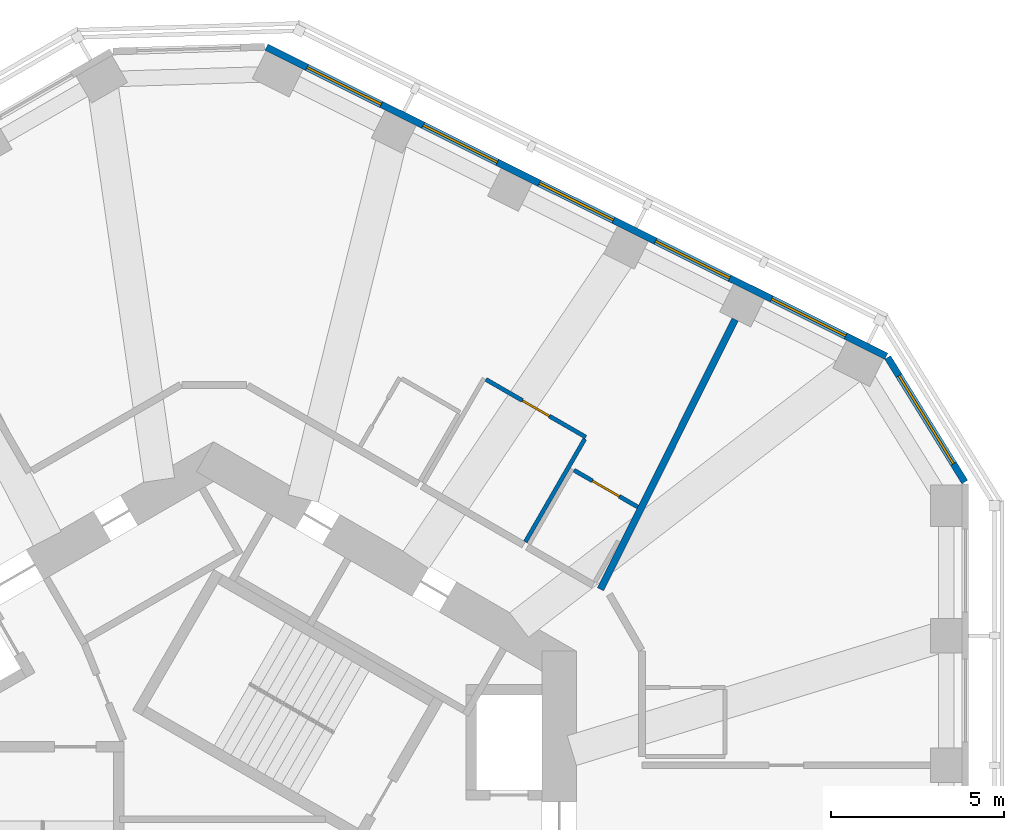
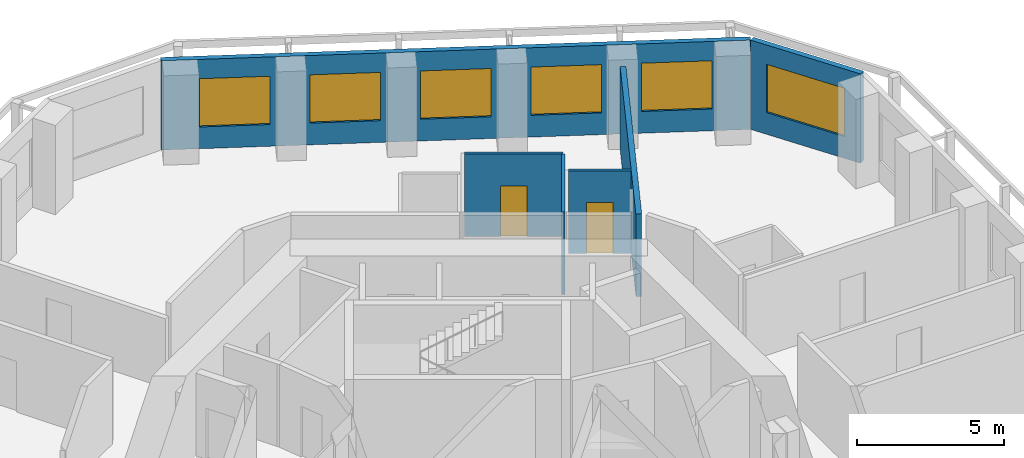
# One storey, part 8 of 11: 6 walls, 6 windows, 2 doors, 8 openings.
"""IFC4 building model written with IfcOpenShell, lengths in metres."""

from ifc_helpers import new_model, si_unit, direction, frame, frame_2d, origin, place, context, subcontext, project, spatial, rectangle, extrude, material, layer, layer_set, type_object, element, fill, save


model = new_model("IFC4")

# Units and contexts
model_context = context("Model", 3, precision=1e-05, world=origin(), true_north=direction((0.0, 1.0)))
body_context = subcontext(model_context, "Body", "Model", "MODEL_VIEW")
ifc_project = project(units=[si_unit("LENGTHUNIT", "METRE"), si_unit("AREAUNIT", "SQUARE_METRE"), si_unit("VOLUMEUNIT", "CUBIC_METRE"), si_unit("PLANEANGLEUNIT", "RADIAN"), si_unit("MASSUNIT", "GRAM", prefix="KILO")], contexts=[model_context])

# Site, building, storey
site_placement = place(None, origin())
site = spatial("IfcSite", under=ifc_project, at=site_placement, CompositionType="ELEMENT")
building_placement = place(site_placement, origin())
building = spatial("IfcBuilding", under=site, at=building_placement, Name="Vanh Sen Convention Tower", CompositionType="ELEMENT")
storey_placement = place(building_placement, frame((0.0, 0.0, 172.5)))
storey = spatial("IfcBuildingStorey", under=building, at=storey_placement, Name="L42", CompositionType="ELEMENT", Elevation=172.5)

# Wall, opening, door
ifc_material_1 = material(Name="Moisture-resistant gypsum board on steel studs", Category="steel")
ifc_layer_1 = layer(ifc_material_1, 0.1201171875)
ifc_layer_set_1 = layer_set([ifc_layer_1], Name="Moisture-resistant gypsum board on steel studs")
wall_type_1 = type_object("IfcWallType", Name="Bathroom partition 120", PredefinedType="PARTITIONING", material=ifc_layer_set_1)
wall_1_placement = place(storey_placement, frame((7.878173828125, 13.9267578125, 0.0), z_axis=(0.0, 0.0, 1.0), x_axis=(0.866021245731, -0.500007201891, 0.0)))
wall_1 = element("IfcWall", 1, at=wall_1_placement, inside=storey, type_object=wall_type_1, Name="Bathroom partition 120", PredefinedType="PARTITIONING", context=body_context, shape_type="SweptSolid", body=[
    extrude(rectangle(XDim=3.33984375, YDim=0.1201171875, at=frame_2d((1.669921875, 0.0))), origin(), (0.0, 0.0, 1.0), 3.419921875),
])
opening_1_placement = place(wall_1_placement, frame((1.219970703125, 0.0, 0.0)))
opening_1 = element("IfcOpeningElement", 2, at=opening_1_placement, cuts=wall_1, Name="Opening D41105", PredefinedType="OPENING", context=body_context, shape_type="SweptSolid", body=[
    extrude(rectangle(XDim=0.89990234375, YDim=2.10009765625, at=frame_2d((0.449951171875, 1.050048828125))), frame((0.0, 0.070068359375, 0.0), z_axis=(0.0, -1.0, 0.0), x_axis=(1.0, 0.0, 0.0)), (0.0, 0.0, 1.0), 0.14013671875),
])
ifc_material_2 = material(Name="Laminate door in steel frame", Category="steel")
door_type = type_object("IfcDoorType", Name="Room internal door 900", OperationType="SINGLE_SWING_LEFT", PredefinedType="DOOR", material=ifc_material_2)
door_1_placement = place(opening_1_placement, origin())
door_1 = element("IfcDoor", 3, at=door_1_placement, inside=storey, type_object=door_type, Name="Internal room door D41105", OperationType="SINGLE_SWING_LEFT", OverallHeight=2.10009765625, OverallWidth=0.89990234375, PredefinedType="DOOR", context=body_context, shape_type="SweptSolid", body=[
    extrude(rectangle(XDim=0.89990234375, YDim=2.10009765625, at=frame_2d((0.449951171875, 1.050048828125))), frame((0.0, 0.02490234375, 0.0), z_axis=(0.0, -1.0, 0.0), x_axis=(1.0, 0.0, 0.0)), (0.0, 0.0, 1.0), 0.050048828125),
])
fill(opening_1, door_1)

wall_2_placement = place(storey_placement, frame((10.426513671875, 11.30078125, 0.0), z_axis=(0.0, 0.0, 1.0), x_axis=(0.866019511163, -0.500010206181, 0.0)))
wall_2 = element("IfcWall", 4, at=wall_2_placement, inside=storey, type_object=wall_type_1, Name="Bathroom partition 120", PredefinedType="PARTITIONING", context=body_context, shape_type="SweptSolid", body=[
    extrude(rectangle(XDim=2.1298828125, YDim=0.1201171875, at=frame_2d((1.06494140625, 0.0))), origin(), (0.0, 0.0, 1.0), 3.419921875),
])
opening_2_placement = place(wall_2_placement, frame((0.614990234375, 0.0, 0.0)))
opening_2 = element("IfcOpeningElement", 5, at=opening_2_placement, cuts=wall_2, Name="Opening D41104", PredefinedType="OPENING", context=body_context, shape_type="SweptSolid", body=[
    extrude(rectangle(XDim=0.89990234375, YDim=2.10009765625, at=frame_2d((0.449951171875, 1.050048828125))), frame((0.0, 0.070068359375, 0.0), z_axis=(0.0, -1.0, 0.0), x_axis=(1.0, 0.0, 0.0)), (0.0, 0.0, 1.0), 0.14013671875),
])
door_2_placement = place(opening_2_placement, origin())
door_2 = element("IfcDoor", 6, at=door_2_placement, inside=storey, type_object=door_type, Name="Internal room door D41104", OperationType="SINGLE_SWING_LEFT", OverallHeight=2.10009765625, OverallWidth=0.89990234375, PredefinedType="DOOR", context=body_context, shape_type="SweptSolid", body=[
    extrude(rectangle(XDim=0.89990234375, YDim=2.10009765625, at=frame_2d((0.449951171875, 1.050048828125))), frame((0.0, 0.02490234375, 0.0), z_axis=(0.0, -1.0, 0.0), x_axis=(1.0, 0.0, 0.0)), (0.0, 0.0, 1.0), 0.050048828125),
])
fill(opening_2, door_2)

# Wall
wall_3_placement = place(storey_placement, frame((10.740478515625, 12.204833984375, 0.0), z_axis=(0.0, 0.0, 1.0), x_axis=(-0.499978425106, -0.866037859697, 0.0)))
element("IfcWall", 7, at=wall_3_placement, inside=storey, type_object=wall_type_1, Name="Bathroom partition 120", PredefinedType="PARTITIONING", context=body_context, shape_type="SweptSolid", body=[
    extrude(rectangle(XDim=3.440185546875, YDim=0.1201171875, at=frame_2d((1.72021484375, 0.0))), origin(), (0.0, 0.0, 1.0), 3.419921875),
])

# Wall, opening, window
ifc_material_3 = material(Name="Insulated lightweight infill wall")
ifc_layer_2 = layer(ifc_material_3, 0.199951171875)
ifc_layer_set_2 = layer_set([ifc_layer_2], Name="Insulated lightweight infill wall")
wall_type_2 = type_object("IfcWallType", Name="External wall 200", PredefinedType="STANDARD", material=ifc_layer_set_2)
wall_4_placement = place(storey_placement, frame((21.735107421875, 10.9580078125, 0.0), z_axis=(0.0, 0.0, 1.0), x_axis=(-0.526213807775, 0.850352296702, 0.0)))
wall_4 = element("IfcWall", 8, at=wall_4_placement, inside=storey, type_object=wall_type_2, Name="External wall CH1 L42", PredefinedType="STANDARD", context=body_context, shape_type="SweptSolid", body=[
    extrude(rectangle(XDim=4.23828125, YDim=0.199951171875, at=frame_2d((2.119140625, 0.0))), origin(), (0.0, 0.0, 1.0), 3.699951171875),
])
opening_3_placement = place(wall_4_placement, frame((0.619140625, 0.0, 0.89990234375)))
opening_3 = element("IfcOpeningElement", 9, at=opening_3_placement, cuts=wall_4, Name="Opening WO2-CH11", PredefinedType="OPENING", context=body_context, shape_type="SweptSolid", body=[
    extrude(rectangle(XDim=3.0, YDim=2.0, at=frame_2d((1.5, 1.0))), frame((0.0, 0.10986328125, 0.0), z_axis=(0.0, -1.0, 0.0), x_axis=(1.0, 0.0, 0.0)), (0.0, 0.0, 1.0), 0.219970703125),
])
ifc_material_4 = material(Name="Aluminium frame with clear low-emissivity glass", Category="aluminium")
window_type_1 = type_object("IfcWindowType", Name="Office window 3000 x 2000", PartitioningType="SINGLE_PANEL", PredefinedType="WINDOW", material=ifc_material_4)
window_1_placement = place(opening_3_placement, origin())
window_1 = element("IfcWindow", 10, at=window_1_placement, inside=storey, type_object=window_type_1, Name="Window WO2-CH11", OverallHeight=2.0, OverallWidth=3.0, PartitioningType="SINGLE_PANEL", PredefinedType="WINDOW", context=body_context, shape_type="SweptSolid", body=[
    extrude(rectangle(XDim=3.0, YDim=2.0, at=frame_2d((1.5, 1.0))), frame((0.0, 0.030029296875, 0.0), z_axis=(0.0, -1.0, 0.0), x_axis=(1.0, 0.0, 0.0)), (0.0, 0.0, 1.0), 0.06005859375),
])
fill(opening_3, window_1)

# Wall, openings, windows
wall_5_placement = place(storey_placement, frame((19.46435546875, 14.598876953125, 0.0), z_axis=(0.0, 0.0, 1.0), x_axis=(-0.894935755043, 0.446195018289, 0.0)))
wall_5 = element("IfcWall", 11, at=wall_5_placement, inside=storey, type_object=wall_type_2, Name="External wall NE L42", PredefinedType="STANDARD", context=body_context, shape_type="SweptSolid", body=[
    extrude(rectangle(XDim=20.043701171875, YDim=0.199951171875, at=frame_2d((10.02197265625, 0.0))), origin(), (0.0, 0.0, 1.0), 3.699951171875),
])
opening_4_placement = place(wall_5_placement, frame((1.31298828125, 0.0, 0.89990234375)))
opening_4 = element("IfcOpeningElement", 12, at=opening_4_placement, cuts=wall_5, Name="Opening WO1-NE1", PredefinedType="OPENING", context=body_context, shape_type="SweptSolid", body=[
    extrude(rectangle(XDim=2.39990234375, YDim=2.0, at=frame_2d((1.199951171875, 1.0))), frame((0.0, 0.10986328125, 0.0), z_axis=(0.0, -1.0, 0.0), x_axis=(1.0, 0.0, 0.0)), (0.0, 0.0, 1.0), 0.219970703125),
])
opening_5_placement = place(wall_5_placement, frame((5.06689453125, 0.0, 0.89990234375)))
opening_5 = element("IfcOpeningElement", 13, at=opening_5_placement, cuts=wall_5, Name="Opening WO1-NE2", PredefinedType="OPENING", context=body_context, shape_type="SweptSolid", body=[
    extrude(rectangle(XDim=2.39990234375, YDim=2.0, at=frame_2d((1.199951171875, 1.0))), frame((0.0, 0.10986328125, 0.0), z_axis=(0.0, -1.0, 0.0), x_axis=(1.0, 0.0, 0.0)), (0.0, 0.0, 1.0), 0.219970703125),
])
opening_6_placement = place(wall_5_placement, frame((8.821044921875, 0.0, 0.89990234375)))
opening_6 = element("IfcOpeningElement", 14, at=opening_6_placement, cuts=wall_5, Name="Opening WO1-NE3", PredefinedType="OPENING", context=body_context, shape_type="SweptSolid", body=[
    extrude(rectangle(XDim=2.39990234375, YDim=2.0, at=frame_2d((1.199951171875, 1.0))), frame((0.0, 0.10986328125, 0.0), z_axis=(0.0, -1.0, 0.0), x_axis=(1.0, 0.0, 0.0)), (0.0, 0.0, 1.0), 0.219970703125),
])
opening_7_placement = place(wall_5_placement, frame((12.5751953125, 0.0, 0.89990234375)))
opening_7 = element("IfcOpeningElement", 15, at=opening_7_placement, cuts=wall_5, Name="Opening WO1-NE4", PredefinedType="OPENING", context=body_context, shape_type="SweptSolid", body=[
    extrude(rectangle(XDim=2.39990234375, YDim=2.0, at=frame_2d((1.199951171875, 1.0))), frame((0.0, 0.10986328125, 0.0), z_axis=(0.0, -1.0, 0.0), x_axis=(1.0, 0.0, 0.0)), (0.0, 0.0, 1.0), 0.219970703125),
])
opening_8_placement = place(wall_5_placement, frame((16.329345703125, 0.0, 0.89990234375)))
opening_8 = element("IfcOpeningElement", 16, at=opening_8_placement, cuts=wall_5, Name="Opening WO1-NE5", PredefinedType="OPENING", context=body_context, shape_type="SweptSolid", body=[
    extrude(rectangle(XDim=2.39990234375, YDim=2.0, at=frame_2d((1.199951171875, 1.0))), frame((0.0, 0.10986328125, 0.0), z_axis=(0.0, -1.0, 0.0), x_axis=(1.0, 0.0, 0.0)), (0.0, 0.0, 1.0), 0.219970703125),
])
window_type_2 = type_object("IfcWindowType", Name="Office window 2400 x 2000", PartitioningType="SINGLE_PANEL", PredefinedType="WINDOW", material=ifc_material_4)
window_2_placement = place(opening_4_placement, origin())
window_2 = element("IfcWindow", 17, at=window_2_placement, inside=storey, type_object=window_type_2, Name="Window WO1-NE1", OverallHeight=2.0, OverallWidth=2.39990234375, PartitioningType="SINGLE_PANEL", PredefinedType="WINDOW", context=body_context, shape_type="SweptSolid", body=[
    extrude(rectangle(XDim=2.39990234375, YDim=2.0, at=frame_2d((1.199951171875, 1.0))), frame((0.0, 0.030029296875, 0.0), z_axis=(0.0, -1.0, 0.0), x_axis=(1.0, 0.0, 0.0)), (0.0, 0.0, 1.0), 0.06005859375),
])
fill(opening_4, window_2)
window_3_placement = place(opening_5_placement, origin())
window_3 = element("IfcWindow", 18, at=window_3_placement, inside=storey, type_object=window_type_2, Name="Window WO1-NE2", OverallHeight=2.0, OverallWidth=2.39990234375, PartitioningType="SINGLE_PANEL", PredefinedType="WINDOW", context=body_context, shape_type="SweptSolid", body=[
    extrude(rectangle(XDim=2.39990234375, YDim=2.0, at=frame_2d((1.199951171875, 1.0))), frame((0.0, 0.030029296875, 0.0), z_axis=(0.0, -1.0, 0.0), x_axis=(1.0, 0.0, 0.0)), (0.0, 0.0, 1.0), 0.06005859375),
])
fill(opening_5, window_3)
window_4_placement = place(opening_6_placement, origin())
window_4 = element("IfcWindow", 19, at=window_4_placement, inside=storey, type_object=window_type_2, Name="Window WO1-NE3", OverallHeight=2.0, OverallWidth=2.39990234375, PartitioningType="SINGLE_PANEL", PredefinedType="WINDOW", context=body_context, shape_type="SweptSolid", body=[
    extrude(rectangle(XDim=2.39990234375, YDim=2.0, at=frame_2d((1.199951171875, 1.0))), frame((0.0, 0.030029296875, 0.0), z_axis=(0.0, -1.0, 0.0), x_axis=(1.0, 0.0, 0.0)), (0.0, 0.0, 1.0), 0.06005859375),
])
fill(opening_6, window_4)
window_5_placement = place(opening_7_placement, origin())
window_5 = element("IfcWindow", 20, at=window_5_placement, inside=storey, type_object=window_type_2, Name="Window WO1-NE4", OverallHeight=2.0, OverallWidth=2.39990234375, PartitioningType="SINGLE_PANEL", PredefinedType="WINDOW", context=body_context, shape_type="SweptSolid", body=[
    extrude(rectangle(XDim=2.39990234375, YDim=2.0, at=frame_2d((1.199951171875, 1.0))), frame((0.0, 0.030029296875, 0.0), z_axis=(0.0, -1.0, 0.0), x_axis=(1.0, 0.0, 0.0)), (0.0, 0.0, 1.0), 0.06005859375),
])
fill(opening_7, window_5)
window_6_placement = place(opening_8_placement, origin())
window_6 = element("IfcWindow", 21, at=window_6_placement, inside=storey, type_object=window_type_2, Name="Window WO1-NE5", OverallHeight=2.0, OverallWidth=2.39990234375, PartitioningType="SINGLE_PANEL", PredefinedType="WINDOW", context=body_context, shape_type="SweptSolid", body=[
    extrude(rectangle(XDim=2.39990234375, YDim=2.0, at=frame_2d((1.199951171875, 1.0))), frame((0.0, 0.030029296875, 0.0), z_axis=(0.0, -1.0, 0.0), x_axis=(1.0, 0.0, 0.0)), (0.0, 0.0, 1.0), 0.06005859375),
])
fill(opening_8, window_6)

# Wall
ifc_material_5 = material(Name="Gypsum board on steel studs with mineral wool", Category="steel")
ifc_layer_3 = layer(ifc_material_5, 0.199951171875)
ifc_layer_set_3 = layer_set([ifc_layer_3], Name="Gypsum board on steel studs with mineral wool")
wall_type_3 = type_object("IfcWallType", Name="Tenant suite wall 200", PredefinedType="PARTITIONING", material=ifc_layer_set_3)
wall_6_placement = place(storey_placement, frame((15.089599609375, 15.66259765625, 0.0), z_axis=(0.0, 0.0, 1.0), x_axis=(-0.446206011687, -0.894930273895, 0.0)))
element("IfcWall", 22, at=wall_6_placement, inside=storey, type_object=wall_type_3, Name="Tenant suite wall 200", PredefinedType="PARTITIONING", context=body_context, shape_type="SweptSolid", body=[
    extrude(rectangle(XDim=8.725341796875, YDim=0.199951171875, at=frame_2d((4.36279296875, 0.0))), origin(), (0.0, 0.0, 1.0), 3.419921875),
])

save(model, "model.ifc")
